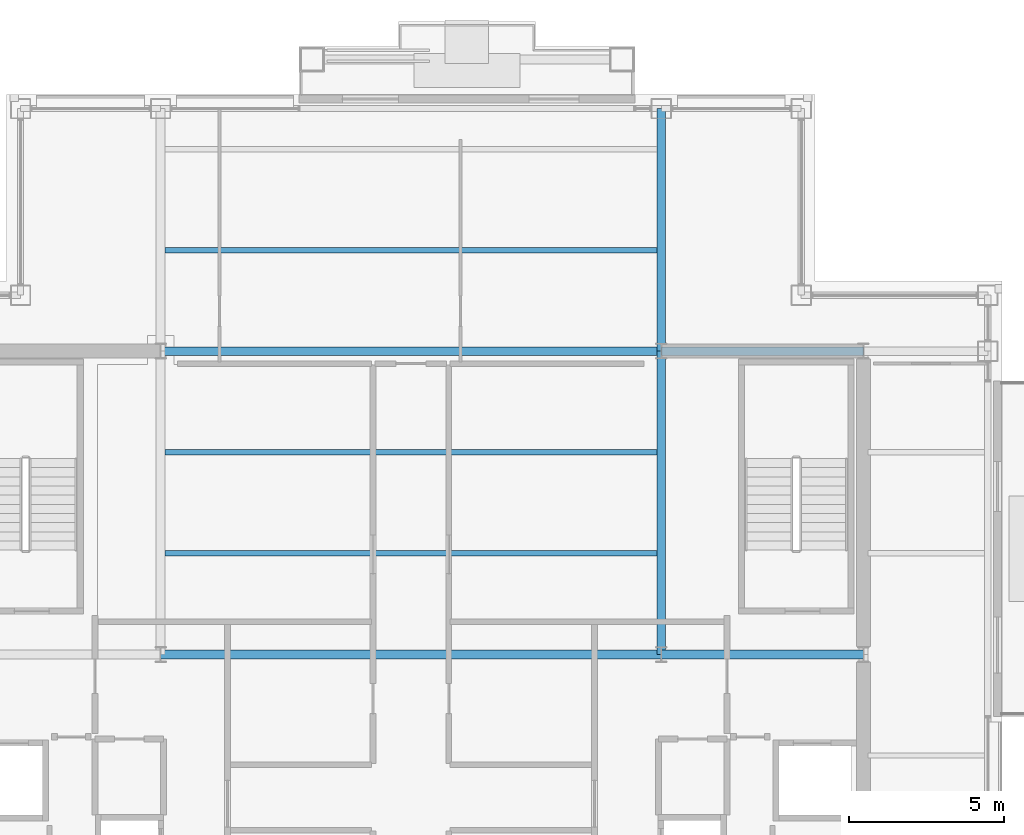
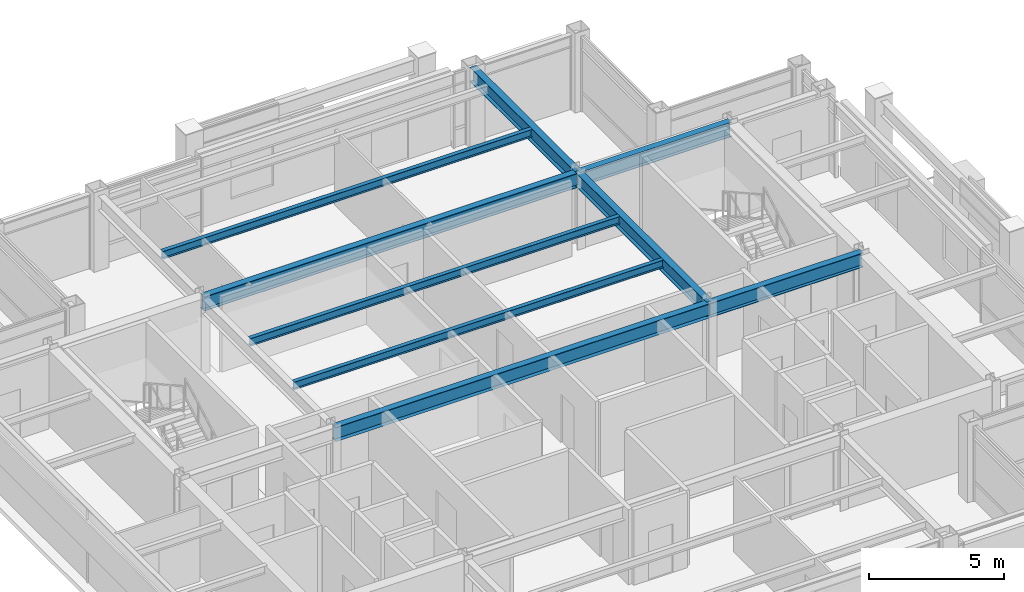
# One storey, part 9 of 23: 9 beams.
"""IFC4 building model written with IfcOpenShell, lengths in metres."""

from ifc_helpers import new_model, si_unit, direction, frame, origin, origin_2d, place, context, subcontext, project, spatial, i_section, extrude, material, material_profile, profile_set, type_object, element, save


model = new_model("IFC4")

# Units and contexts
model_context = context("Model", 3, precision=1e-05, world=origin(), true_north=direction((0.0, 1.0)))
body_context = subcontext(model_context, "Body", "Model", "MODEL_VIEW")
ifc_project = project(units=[si_unit("LENGTHUNIT", "METRE"), si_unit("AREAUNIT", "SQUARE_METRE"), si_unit("VOLUMEUNIT", "CUBIC_METRE"), si_unit("PLANEANGLEUNIT", "RADIAN"), si_unit("MASSUNIT", "GRAM", prefix="KILO")], contexts=[model_context])

# Site, building, storey
site_placement = place(None, origin())
site = spatial("IfcSite", under=ifc_project, at=site_placement, CompositionType="ELEMENT")
building_placement = place(site_placement, origin())
building = spatial("IfcBuilding", under=site, at=building_placement, Name="Brelmoor Portico Tower", CompositionType="ELEMENT")
storey_placement = place(building_placement, frame((0.0, 0.0, 222.0)))
storey = spatial("IfcBuildingStorey", under=building, at=storey_placement, Name="L58", CompositionType="ELEMENT", Elevation=222.0)

# Beams
ifc_material = material(Name="Steel Q355B", Category="steel")
ifc_material_profile_1 = material_profile(ifc_material, i_section(OverallWidth=0.175048828125, OverallDepth=0.35009765625, WebThickness=0.007080078125, FlangeThickness=0.010986328125, at=origin_2d()), Name="HN 350x175x7x11")
ifc_profile_set_1 = profile_set([ifc_material_profile_1], Name="Steel Q355B")
beam_type_1 = type_object("IfcBeamType", Name="BM-JS-350", PredefinedType="JOIST", material=ifc_profile_set_1)
for number, where, z_axis, x_axis, name in (
    (1, (-7.909912109375, 3.25, 3.22509765625), (1.0, 0.0, 0.0), (0.0, 1.0, 0.0), "L58 Secondary Composite Joist JS-C03"),
    (2, (-7.909912109375, 6.5, 3.22509765625), (1.0, 0.0, 0.0), (0.0, 1.0, 0.0), "L58 Secondary Composite Joist JS-C04"),
    (3, (-7.909912109375, 13.0, 3.22509765625), (1.0, 0.0, 0.0), (0.0, 1.0, 0.0), "L58 Secondary Composite Joist JS-C05"),
):
    element("IfcBeam", number, at=place(storey_placement, frame(where, z_axis=z_axis, x_axis=x_axis)), inside=storey, type_object=beam_type_1, Name=name, PredefinedType="JOIST", context=body_context, shape_type="SweptSolid", body=[
        extrude(i_section(OverallWidth=0.175048828125, OverallDepth=0.35009765625, WebThickness=0.007080078125, FlangeThickness=0.010986328125, at=origin_2d()), origin(), (0.0, 0.0, 1.0), 15.81982421875),
    ])
ifc_material_profile_2 = material_profile(ifc_material, i_section(OverallWidth=0.280029296875, OverallDepth=0.64990234375, WebThickness=0.012939453125, FlangeThickness=0.02197265625, at=origin_2d()), Name="HN 650x280x13x22")
ifc_profile_set_2 = profile_set([ifc_material_profile_2], Name="Steel Q355B")
beam_type_2 = type_object("IfcBeamType", Name="BM-PG-650", PredefinedType="BEAM", material=ifc_profile_set_2)
beam_1_placement = place(storey_placement, frame((8.050048828125, 0.0, 3.074951171875), z_axis=(0.0, 1.0, 0.0), x_axis=(-1.0, 0.0, 0.0)))
element("IfcBeam", 4, at=beam_1_placement, inside=storey, type_object=beam_type_2, Name="L58 Primary Floor Girder PG-07", PredefinedType="BEAM", context=body_context, shape_type="SweptSolid", body=[
    extrude(i_section(OverallWidth=0.280029296875, OverallDepth=0.64990234375, WebThickness=0.012939453125, FlangeThickness=0.02197265625, at=origin_2d()), origin(), (0.0, 0.0, 1.0), 9.75),
])
beam_2_placement = place(storey_placement, frame((8.050048828125, 9.75, 3.074951171875), z_axis=(0.0, 1.0, 0.0), x_axis=(-1.0, 0.0, 0.0)))
element("IfcBeam", 5, at=beam_2_placement, inside=storey, type_object=beam_type_2, Name="L58 Primary Floor Girder PG-08", PredefinedType="BEAM", context=body_context, shape_type="SweptSolid", body=[
    extrude(i_section(OverallWidth=0.280029296875, OverallDepth=0.64990234375, WebThickness=0.012939453125, FlangeThickness=0.02197265625, at=origin_2d()), origin(), (0.0, 0.0, 1.0), 7.800048828125),
])
beam_3_placement = place(storey_placement, frame((-8.050048828125, 0.0, 3.074951171875), z_axis=(1.0, 0.0, 0.0), x_axis=(0.0, 1.0, 0.0)))
element("IfcBeam", 6, at=beam_3_placement, inside=storey, type_object=beam_type_2, Name="L58 Primary Floor Girder PG-17", PredefinedType="BEAM", context=body_context, shape_type="SweptSolid", body=[
    extrude(i_section(OverallWidth=0.280029296875, OverallDepth=0.64990234375, WebThickness=0.012939453125, FlangeThickness=0.02197265625, at=origin_2d()), origin(), (0.0, 0.0, 1.0), 16.10009765625),
])
beam_4_placement = place(storey_placement, frame((8.050048828125, 0.0, 3.074951171875), z_axis=(1.0, 0.0, 0.0), x_axis=(0.0, 1.0, 0.0)))
element("IfcBeam", 7, at=beam_4_placement, inside=storey, type_object=beam_type_2, Name="L58 Primary Floor Girder PG-18", PredefinedType="BEAM", context=body_context, shape_type="SweptSolid", body=[
    extrude(i_section(OverallWidth=0.280029296875, OverallDepth=0.64990234375, WebThickness=0.012939453125, FlangeThickness=0.02197265625, at=origin_2d()), origin(), (0.0, 0.0, 1.0), 6.5),
])
beam_5_placement = place(storey_placement, frame((-8.050048828125, 9.75, 3.074951171875), z_axis=(1.0, 0.0, 0.0), x_axis=(0.0, 1.0, 0.0)))
element("IfcBeam", 8, at=beam_5_placement, inside=storey, type_object=beam_type_2, Name="L58 Primary Floor Girder PG-21", PredefinedType="BEAM", context=body_context, shape_type="SweptSolid", body=[
    extrude(i_section(OverallWidth=0.280029296875, OverallDepth=0.64990234375, WebThickness=0.012939453125, FlangeThickness=0.02197265625, at=origin_2d()), origin(), (0.0, 0.0, 1.0), 16.10009765625),
])
beam_6_placement = place(storey_placement, frame((8.050048828125, 9.75, 3.074951171875), z_axis=(1.0, 0.0, 0.0), x_axis=(0.0, 1.0, 0.0)))
element("IfcBeam", 9, at=beam_6_placement, inside=storey, type_object=beam_type_2, Name="L58 Primary Floor Girder PG-22", PredefinedType="BEAM", context=body_context, shape_type="SweptSolid", body=[
    extrude(i_section(OverallWidth=0.280029296875, OverallDepth=0.64990234375, WebThickness=0.012939453125, FlangeThickness=0.02197265625, at=origin_2d()), origin(), (0.0, 0.0, 1.0), 6.5),
])

save(model, "model.ifc")
